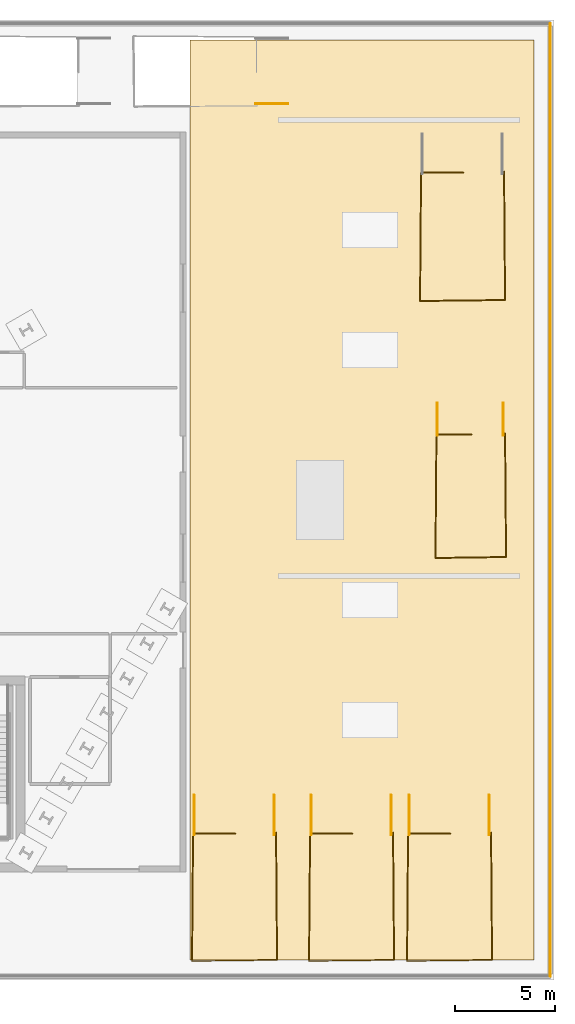
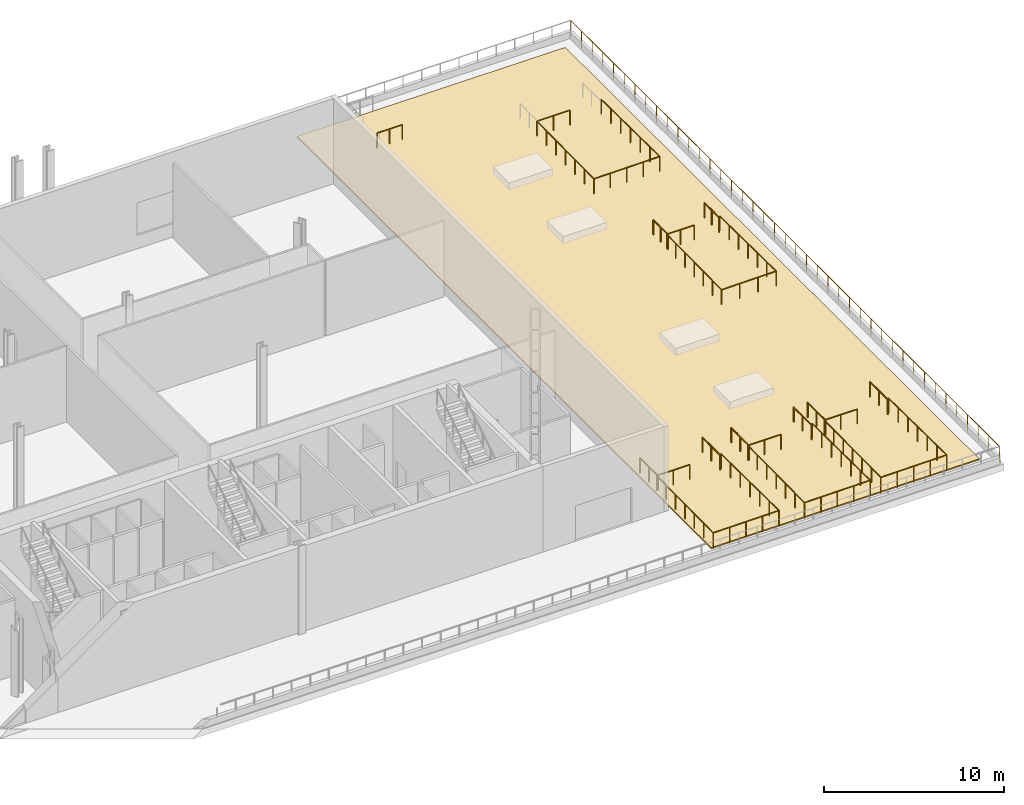
# One storey, part 12 of 13: 15 railings, 1 covering.
"""IFC4 building model written with IfcOpenShell, lengths in metres."""

from ifc_helpers import new_model, si_unit, direction, frame, origin, origin_2d, place, context, subcontext, project, spatial, polyline, circle, outline, extrude, material, layer, layer_set, type_object, element, save


model = new_model("IFC4")

# Units and contexts
model_context = context("Model", 3, precision=1e-05, world=origin(), true_north=direction((0.0, 1.0)))
body_context = subcontext(model_context, "Body", "Model", "MODEL_VIEW")
ifc_project = project(units=[si_unit("LENGTHUNIT", "METRE"), si_unit("AREAUNIT", "SQUARE_METRE"), si_unit("VOLUMEUNIT", "CUBIC_METRE"), si_unit("PLANEANGLEUNIT", "RADIAN"), si_unit("MASSUNIT", "GRAM", prefix="KILO")], contexts=[model_context])

# Site, building, storey
site_placement = place(None, origin())
site = spatial("IfcSite", under=ifc_project, at=site_placement, CompositionType="ELEMENT")
building_placement = place(site_placement, origin())
building = spatial("IfcBuilding", under=site, at=building_placement, Name="Ndaravel Arena Tower", CompositionType="ELEMENT")
storey_placement = place(building_placement, frame((0.0, 0.0, 30.0)))
storey = spatial("IfcBuildingStorey", under=building, at=storey_placement, Name="L05", CompositionType="ELEMENT", Elevation=30.0)

# Covering
ifc_material_1 = material(Name="Roofing Membrane", Category="finish")
ifc_layer_1 = layer(ifc_material_1, 0.080078125)
ifc_layer_set_1 = layer_set([ifc_layer_1], Name="Roofing Membrane")
covering_type = type_object("IfcCoveringType", Name="COV-ROOF-MEMB", PredefinedType="ROOFING", material=ifc_layer_set_1)
covering_placement = place(storey_placement, origin())
element("IfcCovering", 1, at=covering_placement, inside=storey, type_object=covering_type, Name="L05 East Terrace Waterproofing & Mazeras Paving", PredefinedType="ROOFING", context=body_context, shape_type="SweptSolid", body=[
    extrude(outline(polyline([(65.800048828125, 1.0), (83.0, 1.0), (83.0, 47.0), (65.800048828125, 47.0), (65.800048828125, 1.0)])), origin(), (0.0, 0.0, 1.0), 0.080078125),
])

# Railings
ifc_material_2 = material(Name="Steel S355", Category="steel")
ifc_layer_2 = layer(ifc_material_2, 0.06005859375)
ifc_layer_set_2 = layer_set([ifc_layer_2], Name="Steel S355")
railing_type_1 = type_object("IfcRailingType", Name="RAIL-STAIR-GD1100", PredefinedType="GUARDRAIL", material=ifc_layer_set_2)
railing_1_placement = place(storey_placement, frame((70.10009765625, 7.3701171875, 0.0)))
element("IfcRailing", 2, at=railing_1_placement, inside=storey, type_object=railing_type_1, Name="L05 ST-A04 top well guard 1", PredefinedType="GUARDRAIL", context=body_context, shape_type="SweptSolid", body=[
    extrude(circle(Radius=0.02392578125, at=origin_2d()), frame((0.0, 0.0, 1.076171875), z_axis=(0.007818249469, -0.999969437021, 0.0), x_axis=(0.999969437021, 0.007818249469, 0.0)), (0.0, 0.0, 1.0), 6.370361328125),
    extrude(circle(Radius=0.02392578125, at=origin_2d()), frame((0.0498046875, -6.3701171875, 1.076171875), z_axis=(-0.999930667828, -0.011775378384, 0.0), x_axis=(0.011775378384, -0.999930667828, 0.0)), (0.0, 0.0, 1.0), 4.250244140625),
    extrude(circle(Radius=0.02392578125, at=origin_2d()), frame((-4.2001953125, -6.420166015625, 1.076171875), z_axis=(0.007856571862, 0.999969136663, 0.0), x_axis=(-0.999969136663, 0.007856571862, 0.0)), (0.0, 0.0, 1.0), 6.370361328125),
    extrude(circle(Radius=0.02392578125, at=origin_2d()), frame((-4.150146484375, -0.050048828125, 1.076171875), z_axis=(1.0, 0.0, 0.0), x_axis=(0.0, 1.0, 0.0)), (0.0, 0.0, 1.0), 2.1201171875),
    extrude(circle(Radius=0.02099609375, at=origin_2d()), origin(), (0.0, 0.0, 1.0), 1.052001953125),
    extrude(circle(Radius=0.02099609375, at=origin_2d()), frame((0.00830078125, -1.061767578125, 0.0)), (0.0, 0.0, 1.0), 1.052001953125),
    extrude(circle(Radius=0.02099609375, at=origin_2d()), frame((0.0166015625, -2.123291015625, 0.0)), (0.0, 0.0, 1.0), 1.052001953125),
    extrude(circle(Radius=0.02099609375, at=origin_2d()), frame((0.02490234375, -3.18505859375, 0.0)), (0.0, 0.0, 1.0), 1.052001953125),
    extrude(circle(Radius=0.02099609375, at=origin_2d()), frame((0.033203125, -4.246826171875, 0.0)), (0.0, 0.0, 1.0), 1.052001953125),
    extrude(circle(Radius=0.02099609375, at=origin_2d()), frame((0.04150390625, -5.308349609375, 0.0)), (0.0, 0.0, 1.0), 1.052001953125),
    extrude(circle(Radius=0.02099609375, at=origin_2d()), frame((0.0498046875, -6.3701171875, 0.0)), (0.0, 0.0, 1.0), 1.052001953125),
    extrude(circle(Radius=0.02099609375, at=origin_2d()), frame((-1.0126953125, -6.382568359375, 0.0)), (0.0, 0.0, 1.0), 1.052001953125),
    extrude(circle(Radius=0.02099609375, at=origin_2d()), frame((-2.0751953125, -6.39501953125, 0.0)), (0.0, 0.0, 1.0), 1.052001953125),
    extrude(circle(Radius=0.02099609375, at=origin_2d()), frame((-3.1376953125, -6.40771484375, 0.0)), (0.0, 0.0, 1.0), 1.052001953125),
    extrude(circle(Radius=0.02099609375, at=origin_2d()), frame((-4.2001953125, -6.420166015625, 0.0)), (0.0, 0.0, 1.0), 1.052001953125),
    extrude(circle(Radius=0.02099609375, at=origin_2d()), frame((-4.19189453125, -5.3583984375, 0.0)), (0.0, 0.0, 1.0), 1.052001953125),
    extrude(circle(Radius=0.02099609375, at=origin_2d()), frame((-4.18359375, -4.296875, 0.0)), (0.0, 0.0, 1.0), 1.052001953125),
    extrude(circle(Radius=0.02099609375, at=origin_2d()), frame((-4.17529296875, -3.235107421875, 0.0)), (0.0, 0.0, 1.0), 1.052001953125),
    extrude(circle(Radius=0.02099609375, at=origin_2d()), frame((-4.166748046875, -2.17333984375, 0.0)), (0.0, 0.0, 1.0), 1.052001953125),
    extrude(circle(Radius=0.02099609375, at=origin_2d()), frame((-4.158447265625, -1.11181640625, 0.0)), (0.0, 0.0, 1.0), 1.052001953125),
    extrude(circle(Radius=0.02099609375, at=origin_2d()), frame((-4.150146484375, -0.050048828125, 0.0)), (0.0, 0.0, 1.0), 1.052001953125),
    extrude(circle(Radius=0.02099609375, at=origin_2d()), frame((-3.090087890625, -0.050048828125, 0.0)), (0.0, 0.0, 1.0), 1.052001953125),
    extrude(circle(Radius=0.02099609375, at=origin_2d()), frame((-2.030029296875, -0.050048828125, 0.0)), (0.0, 0.0, 1.0), 1.052001953125),
])
for number, where, name in (
    (3, (66.0, 9.25, 0.0), "L05 ST-A04 top well guard 2"),
    (4, (70.0, 9.25, 0.0), "L05 ST-A04 top well guard 3"),
):
    element("IfcRailing", number, at=place(storey_placement, frame(where)), inside=storey, type_object=railing_type_1, Name=name, PredefinedType="GUARDRAIL", context=body_context, shape_type="SweptSolid", body=[
        extrude(circle(Radius=0.02392578125, at=origin_2d()), frame((0.0, 0.0, 1.076171875), z_axis=(0.0, -1.0, 0.0), x_axis=(1.0, 0.0, 0.0)), (0.0, 0.0, 1.0), 1.97998046875),
        extrude(circle(Radius=0.02099609375, at=origin_2d()), origin(), (0.0, 0.0, 1.0), 1.052001953125),
        extrude(circle(Radius=0.02099609375, at=origin_2d()), frame((0.0, -0.989990234375, 0.0)), (0.0, 0.0, 1.0), 1.052001953125),
        extrude(circle(Radius=0.02099609375, at=origin_2d()), frame((0.0, -1.97998046875, 0.0)), (0.0, 0.0, 1.0), 1.052001953125),
    ])
railing_2_placement = place(storey_placement, frame((75.949951171875, 7.3701171875, 0.0)))
element("IfcRailing", 5, at=railing_2_placement, inside=storey, type_object=railing_type_1, Name="L05 ST-A05 top well guard 1", PredefinedType="GUARDRAIL", context=body_context, shape_type="SweptSolid", body=[
    extrude(circle(Radius=0.02392578125, at=origin_2d()), frame((0.0, 0.0, 1.076171875), z_axis=(0.007856571862, -0.999969136663, 0.0), x_axis=(0.999969136663, 0.007856571862, 0.0)), (0.0, 0.0, 1.0), 6.370361328125),
    extrude(circle(Radius=0.02392578125, at=origin_2d()), frame((0.050048828125, -6.3701171875, 1.076171875), z_axis=(-0.999930667828, -0.011775378384, 0.0), x_axis=(0.011775378384, -0.999930667828, 0.0)), (0.0, 0.0, 1.0), 4.250244140625),
    extrude(circle(Radius=0.02392578125, at=origin_2d()), frame((-4.199951171875, -6.420166015625, 1.076171875), z_axis=(0.007856571862, 0.999969136663, 0.0), x_axis=(-0.999969136663, 0.007856571862, 0.0)), (0.0, 0.0, 1.0), 6.370361328125),
    extrude(circle(Radius=0.02392578125, at=origin_2d()), frame((-4.14990234375, -0.050048828125, 1.076171875), z_axis=(1.0, 0.0, 0.0), x_axis=(0.0, 1.0, 0.0)), (0.0, 0.0, 1.0), 2.119873046875),
    extrude(circle(Radius=0.02099609375, at=origin_2d()), origin(), (0.0, 0.0, 1.0), 1.052001953125),
    extrude(circle(Radius=0.02099609375, at=origin_2d()), frame((0.00830078125, -1.061767578125, 0.0)), (0.0, 0.0, 1.0), 1.052001953125),
    extrude(circle(Radius=0.02099609375, at=origin_2d()), frame((0.0166015625, -2.123291015625, 0.0)), (0.0, 0.0, 1.0), 1.052001953125),
    extrude(circle(Radius=0.02099609375, at=origin_2d()), frame((0.02490234375, -3.18505859375, 0.0)), (0.0, 0.0, 1.0), 1.052001953125),
    extrude(circle(Radius=0.02099609375, at=origin_2d()), frame((0.033447265625, -4.246826171875, 0.0)), (0.0, 0.0, 1.0), 1.052001953125),
    extrude(circle(Radius=0.02099609375, at=origin_2d()), frame((0.041748046875, -5.308349609375, 0.0)), (0.0, 0.0, 1.0), 1.052001953125),
    extrude(circle(Radius=0.02099609375, at=origin_2d()), frame((0.050048828125, -6.3701171875, 0.0)), (0.0, 0.0, 1.0), 1.052001953125),
    extrude(circle(Radius=0.02099609375, at=origin_2d()), frame((-1.012451171875, -6.382568359375, 0.0)), (0.0, 0.0, 1.0), 1.052001953125),
    extrude(circle(Radius=0.02099609375, at=origin_2d()), frame((-2.074951171875, -6.39501953125, 0.0)), (0.0, 0.0, 1.0), 1.052001953125),
    extrude(circle(Radius=0.02099609375, at=origin_2d()), frame((-3.137451171875, -6.40771484375, 0.0)), (0.0, 0.0, 1.0), 1.052001953125),
    extrude(circle(Radius=0.02099609375, at=origin_2d()), frame((-4.199951171875, -6.420166015625, 0.0)), (0.0, 0.0, 1.0), 1.052001953125),
    extrude(circle(Radius=0.02099609375, at=origin_2d()), frame((-4.191650390625, -5.3583984375, 0.0)), (0.0, 0.0, 1.0), 1.052001953125),
    extrude(circle(Radius=0.02099609375, at=origin_2d()), frame((-4.183349609375, -4.296875, 0.0)), (0.0, 0.0, 1.0), 1.052001953125),
    extrude(circle(Radius=0.02099609375, at=origin_2d()), frame((-4.1748046875, -3.235107421875, 0.0)), (0.0, 0.0, 1.0), 1.052001953125),
    extrude(circle(Radius=0.02099609375, at=origin_2d()), frame((-4.16650390625, -2.17333984375, 0.0)), (0.0, 0.0, 1.0), 1.052001953125),
    extrude(circle(Radius=0.02099609375, at=origin_2d()), frame((-4.158203125, -1.11181640625, 0.0)), (0.0, 0.0, 1.0), 1.052001953125),
    extrude(circle(Radius=0.02099609375, at=origin_2d()), frame((-4.14990234375, -0.050048828125, 0.0)), (0.0, 0.0, 1.0), 1.052001953125),
    extrude(circle(Radius=0.02099609375, at=origin_2d()), frame((-3.08984375, -0.050048828125, 0.0)), (0.0, 0.0, 1.0), 1.052001953125),
    extrude(circle(Radius=0.02099609375, at=origin_2d()), frame((-2.030029296875, -0.050048828125, 0.0)), (0.0, 0.0, 1.0), 1.052001953125),
])
for number, where, name in (
    (6, (71.85009765625, 9.25, 0.0), "L05 ST-A05 top well guard 2"),
    (7, (75.85009765625, 9.25, 0.0), "L05 ST-A05 top well guard 3"),
):
    element("IfcRailing", number, at=place(storey_placement, frame(where)), inside=storey, type_object=railing_type_1, Name=name, PredefinedType="GUARDRAIL", context=body_context, shape_type="SweptSolid", body=[
        extrude(circle(Radius=0.02392578125, at=origin_2d()), frame((0.0, 0.0, 1.076171875), z_axis=(0.0, -1.0, 0.0), x_axis=(1.0, 0.0, 0.0)), (0.0, 0.0, 1.0), 1.97998046875),
        extrude(circle(Radius=0.02099609375, at=origin_2d()), origin(), (0.0, 0.0, 1.0), 1.052001953125),
        extrude(circle(Radius=0.02099609375, at=origin_2d()), frame((0.0, -0.989990234375, 0.0)), (0.0, 0.0, 1.0), 1.052001953125),
        extrude(circle(Radius=0.02099609375, at=origin_2d()), frame((0.0, -1.97998046875, 0.0)), (0.0, 0.0, 1.0), 1.052001953125),
    ])
railing_3_placement = place(storey_placement, frame((80.85009765625, 7.3701171875, 0.0)))
element("IfcRailing", 8, at=railing_3_placement, inside=storey, type_object=railing_type_1, Name="L05 ST-A06 top well guard 1", PredefinedType="GUARDRAIL", context=body_context, shape_type="SweptSolid", body=[
    extrude(circle(Radius=0.02392578125, at=origin_2d()), frame((0.0, 0.0, 1.076171875), z_axis=(0.007818249469, -0.999969437021, 0.0), x_axis=(0.999969437021, 0.007818249469, 0.0)), (0.0, 0.0, 1.0), 6.370361328125),
    extrude(circle(Radius=0.02392578125, at=origin_2d()), frame((0.0498046875, -6.3701171875, 1.076171875), z_axis=(-0.999930667828, -0.011775378384, 0.0), x_axis=(0.011775378384, -0.999930667828, 0.0)), (0.0, 0.0, 1.0), 4.250244140625),
    extrude(circle(Radius=0.02392578125, at=origin_2d()), frame((-4.2001953125, -6.420166015625, 1.076171875), z_axis=(0.007856571862, 0.999969136663, 0.0), x_axis=(-0.999969136663, 0.007856571862, 0.0)), (0.0, 0.0, 1.0), 6.370361328125),
    extrude(circle(Radius=0.02392578125, at=origin_2d()), frame((-4.150146484375, -0.050048828125, 1.076171875), z_axis=(1.0, 0.0, 0.0), x_axis=(0.0, 1.0, 0.0)), (0.0, 0.0, 1.0), 2.1201171875),
    extrude(circle(Radius=0.02099609375, at=origin_2d()), origin(), (0.0, 0.0, 1.0), 1.052001953125),
    extrude(circle(Radius=0.02099609375, at=origin_2d()), frame((0.00830078125, -1.061767578125, 0.0)), (0.0, 0.0, 1.0), 1.052001953125),
    extrude(circle(Radius=0.02099609375, at=origin_2d()), frame((0.0166015625, -2.123291015625, 0.0)), (0.0, 0.0, 1.0), 1.052001953125),
    extrude(circle(Radius=0.02099609375, at=origin_2d()), frame((0.02490234375, -3.18505859375, 0.0)), (0.0, 0.0, 1.0), 1.052001953125),
    extrude(circle(Radius=0.02099609375, at=origin_2d()), frame((0.033203125, -4.246826171875, 0.0)), (0.0, 0.0, 1.0), 1.052001953125),
    extrude(circle(Radius=0.02099609375, at=origin_2d()), frame((0.04150390625, -5.308349609375, 0.0)), (0.0, 0.0, 1.0), 1.052001953125),
    extrude(circle(Radius=0.02099609375, at=origin_2d()), frame((0.0498046875, -6.3701171875, 0.0)), (0.0, 0.0, 1.0), 1.052001953125),
    extrude(circle(Radius=0.02099609375, at=origin_2d()), frame((-1.0126953125, -6.382568359375, 0.0)), (0.0, 0.0, 1.0), 1.052001953125),
    extrude(circle(Radius=0.02099609375, at=origin_2d()), frame((-2.0751953125, -6.39501953125, 0.0)), (0.0, 0.0, 1.0), 1.052001953125),
    extrude(circle(Radius=0.02099609375, at=origin_2d()), frame((-3.1376953125, -6.40771484375, 0.0)), (0.0, 0.0, 1.0), 1.052001953125),
    extrude(circle(Radius=0.02099609375, at=origin_2d()), frame((-4.2001953125, -6.420166015625, 0.0)), (0.0, 0.0, 1.0), 1.052001953125),
    extrude(circle(Radius=0.02099609375, at=origin_2d()), frame((-4.19189453125, -5.3583984375, 0.0)), (0.0, 0.0, 1.0), 1.052001953125),
    extrude(circle(Radius=0.02099609375, at=origin_2d()), frame((-4.18359375, -4.296875, 0.0)), (0.0, 0.0, 1.0), 1.052001953125),
    extrude(circle(Radius=0.02099609375, at=origin_2d()), frame((-4.17529296875, -3.235107421875, 0.0)), (0.0, 0.0, 1.0), 1.052001953125),
    extrude(circle(Radius=0.02099609375, at=origin_2d()), frame((-4.166748046875, -2.17333984375, 0.0)), (0.0, 0.0, 1.0), 1.052001953125),
    extrude(circle(Radius=0.02099609375, at=origin_2d()), frame((-4.158447265625, -1.11181640625, 0.0)), (0.0, 0.0, 1.0), 1.052001953125),
    extrude(circle(Radius=0.02099609375, at=origin_2d()), frame((-4.150146484375, -0.050048828125, 0.0)), (0.0, 0.0, 1.0), 1.052001953125),
    extrude(circle(Radius=0.02099609375, at=origin_2d()), frame((-3.090087890625, -0.050048828125, 0.0)), (0.0, 0.0, 1.0), 1.052001953125),
    extrude(circle(Radius=0.02099609375, at=origin_2d()), frame((-2.030029296875, -0.050048828125, 0.0)), (0.0, 0.0, 1.0), 1.052001953125),
])
for number, where, name in (
    (9, (76.75, 9.25, 0.0), "L05 ST-A06 top well guard 2"),
    (10, (80.75, 9.25, 0.0), "L05 ST-A06 top well guard 3"),
):
    element("IfcRailing", number, at=place(storey_placement, frame(where)), inside=storey, type_object=railing_type_1, Name=name, PredefinedType="GUARDRAIL", context=body_context, shape_type="SweptSolid", body=[
        extrude(circle(Radius=0.02392578125, at=origin_2d()), frame((0.0, 0.0, 1.076171875), z_axis=(0.0, -1.0, 0.0), x_axis=(1.0, 0.0, 0.0)), (0.0, 0.0, 1.0), 1.97998046875),
        extrude(circle(Radius=0.02099609375, at=origin_2d()), origin(), (0.0, 0.0, 1.0), 1.052001953125),
        extrude(circle(Radius=0.02099609375, at=origin_2d()), frame((0.0, -0.989990234375, 0.0)), (0.0, 0.0, 1.0), 1.052001953125),
        extrude(circle(Radius=0.02099609375, at=origin_2d()), frame((0.0, -1.97998046875, 0.0)), (0.0, 0.0, 1.0), 1.052001953125),
    ])
railing_4_placement = place(storey_placement, frame((70.699951171875, 43.81005859375, 0.0)))
element("IfcRailing", 11, at=railing_4_placement, inside=storey, type_object=railing_type_1, Name="L05 ST-A11 top well guard 3", PredefinedType="GUARDRAIL", context=body_context, shape_type="SweptSolid", body=[
    extrude(circle(Radius=0.02392578125, at=origin_2d()), frame((0.0, 0.0, 1.076171875), z_axis=(-1.0, 0.0, 0.0), x_axis=(0.0, -1.0, 0.0)), (0.0, 0.0, 1.0), 1.619873046875),
    extrude(circle(Radius=0.02099609375, at=origin_2d()), origin(), (0.0, 0.0, 1.0), 1.052001953125),
    extrude(circle(Radius=0.02099609375, at=origin_2d()), frame((-0.81005859375, 0.0, 0.0)), (0.0, 0.0, 1.0), 1.052001953125),
    extrude(circle(Radius=0.02099609375, at=origin_2d()), frame((-1.619873046875, 0.0, 0.0)), (0.0, 0.0, 1.0), 1.052001953125),
])
railing_5_placement = place(storey_placement, frame((81.550048828125, 27.330078125, 0.0)))
element("IfcRailing", 12, at=railing_5_placement, inside=storey, type_object=railing_type_1, Name="L05 ST-A12 top well guard 1", PredefinedType="GUARDRAIL", context=body_context, shape_type="SweptSolid", body=[
    extrude(circle(Radius=0.02392578125, at=origin_2d()), frame((0.0, 0.0, 1.076171875), z_axis=(0.008098019995, -0.999967210499, 0.0), x_axis=(0.999967210499, 0.008098019995, 0.0)), (0.0, 0.0, 1.0), 6.180419921875),
    extrude(circle(Radius=0.02392578125, at=origin_2d()), frame((0.050048828125, -6.18017578125, 1.076171875), z_axis=(-0.999900484898, -0.014107455489, 0.0), x_axis=(0.014107455489, -0.999900484898, 0.0)), (0.0, 0.0, 1.0), 3.5302734375),
    extrude(circle(Radius=0.02392578125, at=origin_2d()), frame((-3.47998046875, -6.22998046875, 1.076171875), z_axis=(0.008098339889, 0.999967207908, 0.0), x_axis=(-0.999967207908, 0.008098339889, 0.0)), (0.0, 0.0, 1.0), 6.18017578125),
    extrude(circle(Radius=0.02392578125, at=origin_2d()), frame((-3.429931640625, -0.050048828125, 1.076171875), z_axis=(1.0, 0.0, 0.0), x_axis=(0.0, 1.0, 0.0)), (0.0, 0.0, 1.0), 1.759765625),
    extrude(circle(Radius=0.02099609375, at=origin_2d()), origin(), (0.0, 0.0, 1.0), 1.052001953125),
    extrude(circle(Radius=0.02099609375, at=origin_2d()), frame((0.00830078125, -1.030029296875, 0.0)), (0.0, 0.0, 1.0), 1.052001953125),
    extrude(circle(Radius=0.02099609375, at=origin_2d()), frame((0.0166015625, -2.06005859375, 0.0)), (0.0, 0.0, 1.0), 1.052001953125),
    extrude(circle(Radius=0.02099609375, at=origin_2d()), frame((0.02490234375, -3.090087890625, 0.0)), (0.0, 0.0, 1.0), 1.052001953125),
    extrude(circle(Radius=0.02099609375, at=origin_2d()), frame((0.033447265625, -4.1201171875, 0.0)), (0.0, 0.0, 1.0), 1.052001953125),
    extrude(circle(Radius=0.02099609375, at=origin_2d()), frame((0.041748046875, -5.150146484375, 0.0)), (0.0, 0.0, 1.0), 1.052001953125),
    extrude(circle(Radius=0.02099609375, at=origin_2d()), frame((0.050048828125, -6.18017578125, 0.0)), (0.0, 0.0, 1.0), 1.052001953125),
    extrude(circle(Radius=0.02099609375, at=origin_2d()), frame((-1.126708984375, -6.19677734375, 0.0)), (0.0, 0.0, 1.0), 1.052001953125),
    extrude(circle(Radius=0.02099609375, at=origin_2d()), frame((-2.30322265625, -6.21337890625, 0.0)), (0.0, 0.0, 1.0), 1.052001953125),
    extrude(circle(Radius=0.02099609375, at=origin_2d()), frame((-3.47998046875, -6.22998046875, 0.0)), (0.0, 0.0, 1.0), 1.052001953125),
    extrude(circle(Radius=0.02099609375, at=origin_2d()), frame((-3.4716796875, -5.199951171875, 0.0)), (0.0, 0.0, 1.0), 1.052001953125),
    extrude(circle(Radius=0.02099609375, at=origin_2d()), frame((-3.46337890625, -4.169921875, 0.0)), (0.0, 0.0, 1.0), 1.052001953125),
    extrude(circle(Radius=0.02099609375, at=origin_2d()), frame((-3.455078125, -3.14013671875, 0.0)), (0.0, 0.0, 1.0), 1.052001953125),
    extrude(circle(Radius=0.02099609375, at=origin_2d()), frame((-3.446533203125, -2.110107421875, 0.0)), (0.0, 0.0, 1.0), 1.052001953125),
    extrude(circle(Radius=0.02099609375, at=origin_2d()), frame((-3.438232421875, -1.080078125, 0.0)), (0.0, 0.0, 1.0), 1.052001953125),
    extrude(circle(Radius=0.02099609375, at=origin_2d()), frame((-3.429931640625, -0.050048828125, 0.0)), (0.0, 0.0, 1.0), 1.052001953125),
    extrude(circle(Radius=0.02099609375, at=origin_2d()), frame((-2.550048828125, -0.050048828125, 0.0)), (0.0, 0.0, 1.0), 1.052001953125),
    extrude(circle(Radius=0.02099609375, at=origin_2d()), frame((-1.670166015625, -0.050048828125, 0.0)), (0.0, 0.0, 1.0), 1.052001953125),
])
for number, where, name in (
    (13, (78.169921875, 28.85009765625, 0.0), "L05 ST-A12 top well guard 2"),
    (14, (81.449951171875, 28.85009765625, 0.0), "L05 ST-A12 top well guard 3"),
):
    element("IfcRailing", number, at=place(storey_placement, frame(where)), inside=storey, type_object=railing_type_1, Name=name, PredefinedType="GUARDRAIL", context=body_context, shape_type="SweptSolid", body=[
        extrude(circle(Radius=0.02392578125, at=origin_2d()), frame((0.0, 0.0, 1.076171875), z_axis=(0.0, -1.0, 0.0), x_axis=(1.0, 0.0, 0.0)), (0.0, 0.0, 1.0), 1.6201171875),
        extrude(circle(Radius=0.02099609375, at=origin_2d()), origin(), (0.0, 0.0, 1.0), 1.052001953125),
        extrude(circle(Radius=0.02099609375, at=origin_2d()), frame((0.0, -0.81005859375, 0.0)), (0.0, 0.0, 1.0), 1.052001953125),
        extrude(circle(Radius=0.02099609375, at=origin_2d()), frame((0.0, -1.6201171875, 0.0)), (0.0, 0.0, 1.0), 1.052001953125),
    ])
railing_6_placement = place(storey_placement, frame((81.5, 40.419921875, 0.0)))
element("IfcRailing", 15, at=railing_6_placement, inside=storey, type_object=railing_type_1, Name="L05 ST-GDN-2 top well guard 1", PredefinedType="GUARDRAIL", context=body_context, shape_type="SweptSolid", body=[
    extrude(circle(Radius=0.02392578125, at=origin_2d()), frame((0.0, 0.0, 1.076171875), z_axis=(0.007795625601, -0.999969613649, 0.0), x_axis=(0.999969613649, 0.007795625601, 0.0)), (0.0, 0.0, 1.0), 6.420166015625),
    extrude(circle(Radius=0.02392578125, at=origin_2d()), frame((0.050048828125, -6.419921875, 1.076171875), z_axis=(-0.999930667828, -0.011775378384, 0.0), x_axis=(0.011775378384, -0.999930667828, 0.0)), (0.0, 0.0, 1.0), 4.250244140625),
    extrude(circle(Radius=0.02392578125, at=origin_2d()), frame((-4.199951171875, -6.469970703125, 1.076171875), z_axis=(0.007795329173, 0.99996961596, 0.0), x_axis=(-0.99996961596, 0.007795329173, 0.0)), (0.0, 0.0, 1.0), 6.42041015625),
    extrude(circle(Radius=0.02392578125, at=origin_2d()), frame((-4.14990234375, -0.0498046875, 1.076171875), z_axis=(1.0, 0.0, 0.0), x_axis=(0.0, 1.0, 0.0)), (0.0, 0.0, 1.0), 2.119873046875),
    extrude(circle(Radius=0.02099609375, at=origin_2d()), origin(), (0.0, 0.0, 1.0), 1.052001953125),
    extrude(circle(Radius=0.02099609375, at=origin_2d()), frame((0.00830078125, -1.070068359375, 0.0)), (0.0, 0.0, 1.0), 1.052001953125),
    extrude(circle(Radius=0.02099609375, at=origin_2d()), frame((0.0166015625, -2.139892578125, 0.0)), (0.0, 0.0, 1.0), 1.052001953125),
    extrude(circle(Radius=0.02099609375, at=origin_2d()), frame((0.02490234375, -3.2099609375, 0.0)), (0.0, 0.0, 1.0), 1.052001953125),
    extrude(circle(Radius=0.02099609375, at=origin_2d()), frame((0.033447265625, -4.280029296875, 0.0)), (0.0, 0.0, 1.0), 1.052001953125),
    extrude(circle(Radius=0.02099609375, at=origin_2d()), frame((0.041748046875, -5.349853515625, 0.0)), (0.0, 0.0, 1.0), 1.052001953125),
    extrude(circle(Radius=0.02099609375, at=origin_2d()), frame((0.050048828125, -6.419921875, 0.0)), (0.0, 0.0, 1.0), 1.052001953125),
    extrude(circle(Radius=0.02099609375, at=origin_2d()), frame((-1.012451171875, -6.432373046875, 0.0)), (0.0, 0.0, 1.0), 1.052001953125),
    extrude(circle(Radius=0.02099609375, at=origin_2d()), frame((-2.074951171875, -6.44482421875, 0.0)), (0.0, 0.0, 1.0), 1.052001953125),
    extrude(circle(Radius=0.02099609375, at=origin_2d()), frame((-3.137451171875, -6.45751953125, 0.0)), (0.0, 0.0, 1.0), 1.052001953125),
    extrude(circle(Radius=0.02099609375, at=origin_2d()), frame((-4.199951171875, -6.469970703125, 0.0)), (0.0, 0.0, 1.0), 1.052001953125),
    extrude(circle(Radius=0.02099609375, at=origin_2d()), frame((-4.191650390625, -5.39990234375, 0.0)), (0.0, 0.0, 1.0), 1.052001953125),
    extrude(circle(Radius=0.02099609375, at=origin_2d()), frame((-4.183349609375, -4.329833984375, 0.0)), (0.0, 0.0, 1.0), 1.052001953125),
    extrude(circle(Radius=0.02099609375, at=origin_2d()), frame((-4.1748046875, -3.259765625, 0.0)), (0.0, 0.0, 1.0), 1.052001953125),
    extrude(circle(Radius=0.02099609375, at=origin_2d()), frame((-4.16650390625, -2.18994140625, 0.0)), (0.0, 0.0, 1.0), 1.052001953125),
    extrude(circle(Radius=0.02099609375, at=origin_2d()), frame((-4.158203125, -1.119873046875, 0.0)), (0.0, 0.0, 1.0), 1.052001953125),
    extrude(circle(Radius=0.02099609375, at=origin_2d()), frame((-4.14990234375, -0.0498046875, 0.0)), (0.0, 0.0, 1.0), 1.052001953125),
    extrude(circle(Radius=0.02099609375, at=origin_2d()), frame((-3.08984375, -0.0498046875, 0.0)), (0.0, 0.0, 1.0), 1.052001953125),
    extrude(circle(Radius=0.02099609375, at=origin_2d()), frame((-2.030029296875, -0.0498046875, 0.0)), (0.0, 0.0, 1.0), 1.052001953125),
])
ifc_material_3 = material(Name="Glazing", Category="glass")
ifc_layer_3 = layer(ifc_material_3, 0.070068359375)
ifc_layer_set_3 = layer_set([ifc_layer_3], Name="Glazing")
railing_type_2 = type_object("IfcRailingType", Name="RAIL-TERRACE-1150", PredefinedType="BALUSTRADE", material=ifc_layer_set_3)
railing_7_placement = place(storey_placement, frame((83.820068359375, 0.179931640625, 0.0)))
element("IfcRailing", 16, at=railing_7_placement, inside=storey, type_object=railing_type_2, Name="L05 Raised Garden Perimeter Balustrade 2", PredefinedType="BALUSTRADE", context=body_context, shape_type="SweptSolid", body=[
    extrude(circle(Radius=0.02392578125, at=origin_2d()), frame((0.0, 0.0, 1.1259765625), z_axis=(0.0, 1.0, 0.0), x_axis=(-1.0, 0.0, 0.0)), (0.0, 0.0, 1.0), 47.64013671875),
    extrude(circle(Radius=0.02099609375, at=origin_2d()), origin(), (0.0, 0.0, 1.0), 1.101806640625),
    extrude(circle(Radius=0.02099609375, at=origin_2d()), frame((0.0, 1.19091796875, 0.0)), (0.0, 0.0, 1.0), 1.101806640625),
    extrude(circle(Radius=0.02099609375, at=origin_2d()), frame((0.0, 2.382080078125, 0.0)), (0.0, 0.0, 1.0), 1.101806640625),
    extrude(circle(Radius=0.02099609375, at=origin_2d()), frame((0.0, 3.572998046875, 0.0)), (0.0, 0.0, 1.0), 1.101806640625),
    extrude(circle(Radius=0.02099609375, at=origin_2d()), frame((0.0, 4.763916015625, 0.0)), (0.0, 0.0, 1.0), 1.101806640625),
    extrude(circle(Radius=0.02099609375, at=origin_2d()), frame((0.0, 5.955078125, 0.0)), (0.0, 0.0, 1.0), 1.101806640625),
    extrude(circle(Radius=0.02099609375, at=origin_2d()), frame((0.0, 7.14599609375, 0.0)), (0.0, 0.0, 1.0), 1.101806640625),
    extrude(circle(Radius=0.02099609375, at=origin_2d()), frame((0.0, 8.3369140625, 0.0)), (0.0, 0.0, 1.0), 1.101806640625),
    extrude(circle(Radius=0.02099609375, at=origin_2d()), frame((0.0, 9.528076171875, 0.0)), (0.0, 0.0, 1.0), 1.101806640625),
    extrude(circle(Radius=0.02099609375, at=origin_2d()), frame((0.0, 10.718994140625, 0.0)), (0.0, 0.0, 1.0), 1.101806640625),
    extrude(circle(Radius=0.02099609375, at=origin_2d()), frame((0.0, 11.91015625, 0.0)), (0.0, 0.0, 1.0), 1.101806640625),
    extrude(circle(Radius=0.02099609375, at=origin_2d()), frame((0.0, 13.10107421875, 0.0)), (0.0, 0.0, 1.0), 1.101806640625),
    extrude(circle(Radius=0.02099609375, at=origin_2d()), frame((0.0, 14.2919921875, 0.0)), (0.0, 0.0, 1.0), 1.101806640625),
    extrude(circle(Radius=0.02099609375, at=origin_2d()), frame((0.0, 15.483154296875, 0.0)), (0.0, 0.0, 1.0), 1.101806640625),
    extrude(circle(Radius=0.02099609375, at=origin_2d()), frame((0.0, 16.674072265625, 0.0)), (0.0, 0.0, 1.0), 1.101806640625),
    extrude(circle(Radius=0.02099609375, at=origin_2d()), frame((0.0, 17.864990234375, 0.0)), (0.0, 0.0, 1.0), 1.101806640625),
    extrude(circle(Radius=0.02099609375, at=origin_2d()), frame((0.0, 19.05615234375, 0.0)), (0.0, 0.0, 1.0), 1.101806640625),
    extrude(circle(Radius=0.02099609375, at=origin_2d()), frame((0.0, 20.2470703125, 0.0)), (0.0, 0.0, 1.0), 1.101806640625),
    extrude(circle(Radius=0.02099609375, at=origin_2d()), frame((0.0, 21.43798828125, 0.0)), (0.0, 0.0, 1.0), 1.101806640625),
    extrude(circle(Radius=0.02099609375, at=origin_2d()), frame((0.0, 22.629150390625, 0.0)), (0.0, 0.0, 1.0), 1.101806640625),
    extrude(circle(Radius=0.02099609375, at=origin_2d()), frame((0.0, 23.820068359375, 0.0)), (0.0, 0.0, 1.0), 1.101806640625),
    extrude(circle(Radius=0.02099609375, at=origin_2d()), frame((0.0, 25.010986328125, 0.0)), (0.0, 0.0, 1.0), 1.101806640625),
    extrude(circle(Radius=0.02099609375, at=origin_2d()), frame((0.0, 26.2021484375, 0.0)), (0.0, 0.0, 1.0), 1.101806640625),
    extrude(circle(Radius=0.02099609375, at=origin_2d()), frame((0.0, 27.39306640625, 0.0)), (0.0, 0.0, 1.0), 1.101806640625),
    extrude(circle(Radius=0.02099609375, at=origin_2d()), frame((0.0, 28.583984375, 0.0)), (0.0, 0.0, 1.0), 1.101806640625),
    extrude(circle(Radius=0.02099609375, at=origin_2d()), frame((0.0, 29.775146484375, 0.0)), (0.0, 0.0, 1.0), 1.101806640625),
    extrude(circle(Radius=0.02099609375, at=origin_2d()), frame((0.0, 30.966064453125, 0.0)), (0.0, 0.0, 1.0), 1.101806640625),
    extrude(circle(Radius=0.02099609375, at=origin_2d()), frame((0.0, 32.156982421875, 0.0)), (0.0, 0.0, 1.0), 1.101806640625),
    extrude(circle(Radius=0.02099609375, at=origin_2d()), frame((0.0, 33.34814453125, 0.0)), (0.0, 0.0, 1.0), 1.101806640625),
    extrude(circle(Radius=0.02099609375, at=origin_2d()), frame((0.0, 34.5390625, 0.0)), (0.0, 0.0, 1.0), 1.101806640625),
    extrude(circle(Radius=0.02099609375, at=origin_2d()), frame((0.0, 35.72998046875, 0.0)), (0.0, 0.0, 1.0), 1.101806640625),
    extrude(circle(Radius=0.02099609375, at=origin_2d()), frame((0.0, 36.921142578125, 0.0)), (0.0, 0.0, 1.0), 1.101806640625),
    extrude(circle(Radius=0.02099609375, at=origin_2d()), frame((0.0, 38.112060546875, 0.0)), (0.0, 0.0, 1.0), 1.101806640625),
    extrude(circle(Radius=0.02099609375, at=origin_2d()), frame((0.0, 39.30322265625, 0.0)), (0.0, 0.0, 1.0), 1.101806640625),
    extrude(circle(Radius=0.02099609375, at=origin_2d()), frame((0.0, 40.494140625, 0.0)), (0.0, 0.0, 1.0), 1.101806640625),
    extrude(circle(Radius=0.02099609375, at=origin_2d()), frame((0.0, 41.68505859375, 0.0)), (0.0, 0.0, 1.0), 1.101806640625),
    extrude(circle(Radius=0.02099609375, at=origin_2d()), frame((0.0, 42.876220703125, 0.0)), (0.0, 0.0, 1.0), 1.101806640625),
    extrude(circle(Radius=0.02099609375, at=origin_2d()), frame((0.0, 44.067138671875, 0.0)), (0.0, 0.0, 1.0), 1.101806640625),
    extrude(circle(Radius=0.02099609375, at=origin_2d()), frame((0.0, 45.258056640625, 0.0)), (0.0, 0.0, 1.0), 1.101806640625),
    extrude(circle(Radius=0.02099609375, at=origin_2d()), frame((0.0, 46.44921875, 0.0)), (0.0, 0.0, 1.0), 1.101806640625),
    extrude(circle(Radius=0.02099609375, at=origin_2d()), frame((0.0, 47.64013671875, 0.0)), (0.0, 0.0, 1.0), 1.101806640625),
])

save(model, "model.ifc")
